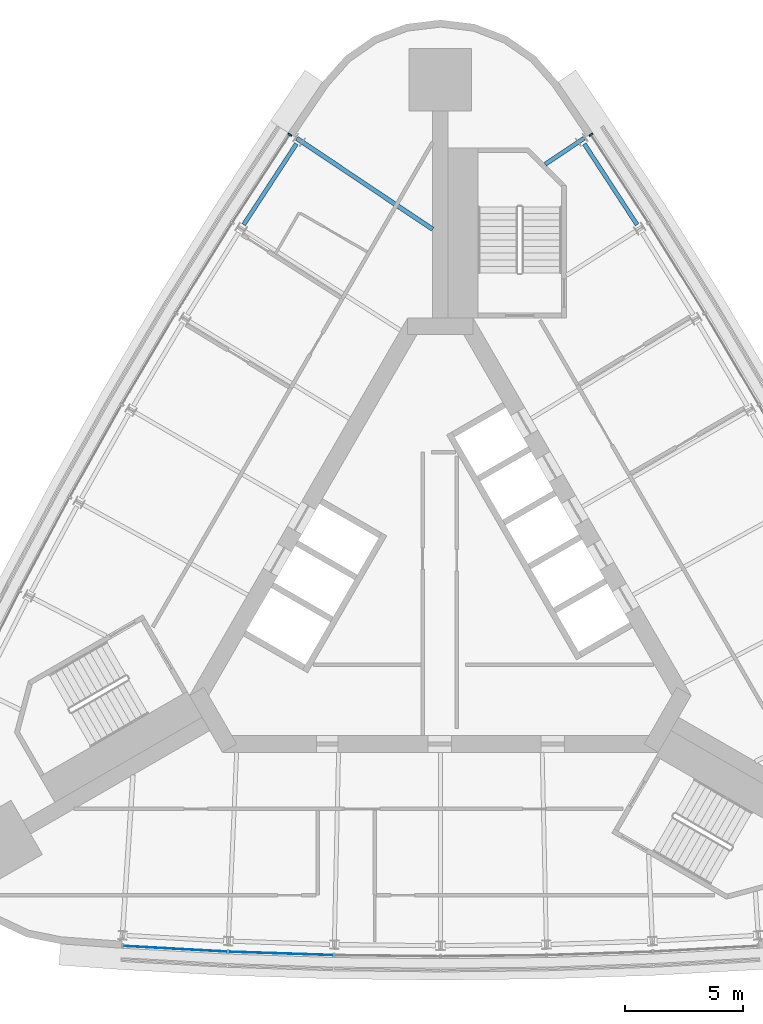
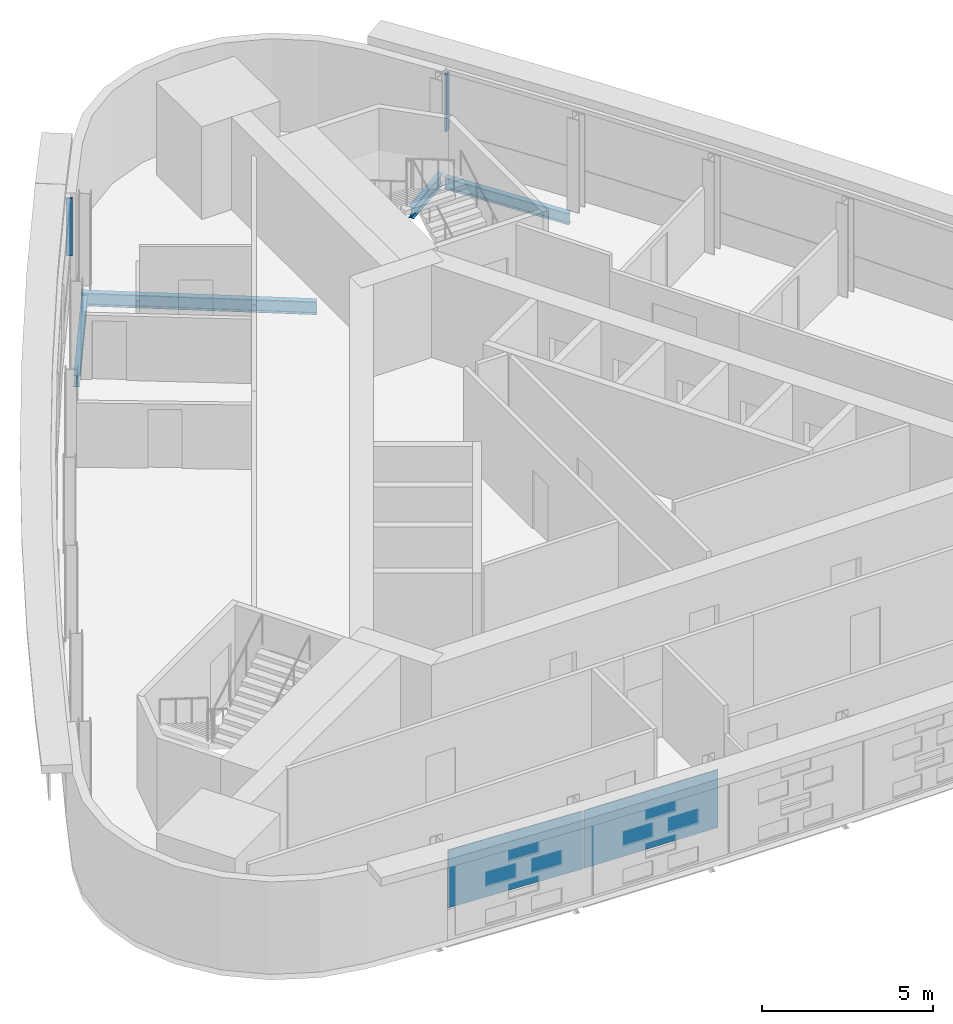
# One storey, part 5 of 11: 4 beams, 2 members, 2 plates, 3 elements without a shape of their own.
"""IFC4 building model written with IfcOpenShell, lengths in metres."""

from ifc_helpers import new_model, si_unit, direction, frame, origin, origin_2d, place, context, subcontext, project, spatial, rectangle, i_section, extrude, material, layer, layer_set, material_profile, profile_set, type_object, element, aggregate, save


model = new_model("IFC4")

# Units and contexts
model_context = context("Model", 3, precision=1e-05, world=origin(), true_north=direction((0.0, 1.0)))
body_context = subcontext(model_context, "Body", "Model", "MODEL_VIEW")
ifc_project = project(units=[si_unit("LENGTHUNIT", "METRE"), si_unit("AREAUNIT", "SQUARE_METRE"), si_unit("VOLUMEUNIT", "CUBIC_METRE"), si_unit("PLANEANGLEUNIT", "RADIAN"), si_unit("MASSUNIT", "GRAM", prefix="KILO")], contexts=[model_context])

# Site, building, storey
site_placement = place(None, origin())
site = spatial("IfcSite", under=ifc_project, at=site_placement, CompositionType="ELEMENT")
building_placement = place(site_placement, origin())
building = spatial("IfcBuilding", under=site, at=building_placement, Name="Noor Cloister Tower", CompositionType="ELEMENT")
storey_placement = place(building_placement, frame((0.0, 0.0, 206.699951171875)))
storey = spatial("IfcBuildingStorey", under=building, at=storey_placement, Name="L53", CompositionType="ELEMENT", Elevation=206.699951171875)

# Curtain wall, member
ifc_material_1 = material(Name="Aluminium 6063-T6 anodised", Category="aluminium")
curtain_wall_type = type_object("IfcCurtainWallType", Name="Ribbon curtain wall, upper tower CW5", PredefinedType="NOTDEFINED", material=ifc_material_1)
curtain_wall_1_placement = place(storey_placement, origin())
curtain_wall_1 = element("IfcCurtainWall", 1, at=curtain_wall_1_placement, inside=storey, type_object=curtain_wall_type, Name="CW5 L53 NW run 1", PredefinedType="NOTDEFINED")
ifc_material_2 = material(Name="Aluminium 6063-T6 anodised", Category="aluminium")
ifc_material_profile_1 = material_profile(ifc_material_2, rectangle(XDim=0.179931640625, YDim=0.070068359375, at=origin_2d()), Name="180 x 70 mullion")
ifc_profile_set_1 = profile_set([ifc_material_profile_1], Name="Aluminium 6063-T6 anodised")
member_type = type_object("IfcMemberType", Name="Mullion CW5 70 x 180", PredefinedType="MULLION", material=ifc_profile_set_1)
member_1_placement = place(storey_placement, frame((-6.374267578125, 19.2109375, 1.10009765625), z_axis=(0.0, 0.0, 1.0), x_axis=(0.837378106162, -0.546624100567, 0.0)))
member_1 = element("IfcMember", 2, at=member_1_placement, type_object=member_type, Name="CW5 mullion 1", PredefinedType="MULLION", context=body_context, shape_type="SweptSolid", body=[
    extrude(rectangle(XDim=0.179931640625, YDim=0.070068359375, at=origin_2d()), origin(), (0.0, 0.0, 1.0), 2.050048828125),
])
aggregate(curtain_wall_1, [member_1])

curtain_wall_2_placement = place(storey_placement, origin())
curtain_wall_2 = element("IfcCurtainWall", 3, at=curtain_wall_2_placement, inside=storey, type_object=curtain_wall_type, Name="CW5 L53 NE run 3", PredefinedType="NOTDEFINED")
member_2_placement = place(storey_placement, frame((6.374267578125, 19.2109375, 1.10009765625), z_axis=(0.0, 0.0, 1.0), x_axis=(-0.837378106162, -0.546624100567, 0.0)))
member_2 = element("IfcMember", 4, at=member_2_placement, type_object=member_type, Name="CW5 mullion 7", PredefinedType="MULLION", context=body_context, shape_type="SweptSolid", body=[
    extrude(rectangle(XDim=0.179931640625, YDim=0.070068359375, at=origin_2d()), origin(), (0.0, 0.0, 1.0), 2.050048828125),
])
aggregate(curtain_wall_2, [member_2])

# Beams
ifc_material_3 = material(Name="Steel ASTM A992 Gr 50", Category="steel")
ifc_material_profile_2 = material_profile(ifc_material_3, i_section(OverallWidth=0.177978515625, OverallDepth=0.406005859375, WebThickness=0.0078125, FlangeThickness=0.0126953125, FilletRadius=0.01025390625, at=origin_2d()), Name="W410x60")
ifc_profile_set_2 = profile_set([ifc_material_profile_2], Name="Steel ASTM A992 Gr 50")
beam_type_1 = type_object("IfcBeamType", Name="Radial beam W410x60", PredefinedType="BEAM", material=ifc_profile_set_2)
beam_1_placement = place(storey_placement, frame((6.074951171875, 19.05126953125, -0.40283203125), z_axis=(-0.831382826262, -0.555700095552, 0.0), x_axis=(0.555700095552, -0.831382826262, 0.0)))
element("IfcBeam", 5, at=beam_1_placement, inside=storey, type_object=beam_type_1, Name="Radial beam NE 07 L53", PredefinedType="BEAM", context=body_context, shape_type="SweptSolid", body=[
    extrude(i_section(OverallWidth=0.177978515625, OverallDepth=0.406005859375, WebThickness=0.0078125, FlangeThickness=0.0126953125, FilletRadius=0.01025390625, at=origin_2d()), origin(), (0.0, 0.0, 1.0), 1.97119140625),
])
ifc_material_4 = material(Name="Steel ASTM A992 Gr 50", Category="steel")
ifc_material_profile_3 = material_profile(ifc_material_4, i_section(OverallWidth=0.19091796875, OverallDepth=0.45703125, WebThickness=0.009033203125, FlangeThickness=0.014404296875, FilletRadius=0.01025390625, at=origin_2d()), Name="W460x74")
ifc_profile_set_3 = profile_set([ifc_material_profile_3], Name="Steel ASTM A992 Gr 50")
beam_type_2 = type_object("IfcBeamType", Name="Radial beam W460x74", PredefinedType="BEAM", material=ifc_profile_set_3)
beam_2_placement = place(storey_placement, frame((-6.074951171875, 19.05126953125, -0.428466796875), z_axis=(0.831354528555, -0.555742429414, 0.0), x_axis=(0.555742429414, 0.831354528555, 0.0)))
element("IfcBeam", 6, at=beam_2_placement, inside=storey, type_object=beam_type_2, Name="Radial beam NW 01 L53", PredefinedType="BEAM", context=body_context, shape_type="SweptSolid", body=[
    extrude(i_section(OverallWidth=0.19091796875, OverallDepth=0.45703125, WebThickness=0.009033203125, FlangeThickness=0.014404296875, FilletRadius=0.01025390625, at=origin_2d()), origin(), (0.0, 0.0, 1.0), 6.91650390625),
])
ifc_material_5 = material(Name="Steel ASTM A992 Gr 50", Category="steel")
ifc_material_profile_4 = material_profile(ifc_material_5, i_section(OverallWidth=0.177978515625, OverallDepth=0.406005859375, WebThickness=0.0078125, FlangeThickness=0.0126953125, FilletRadius=0.01025390625, at=origin_2d()), Name="W410x60")
ifc_profile_set_4 = profile_set([ifc_material_profile_4], Name="Steel ASTM A992 Gr 50")
beam_type_3 = type_object("IfcBeamType", Name="Spandrel beam W410x60", PredefinedType="SPANDREL", material=ifc_profile_set_4)
for number, where, z_axis, x_axis, name in (
    (7, (-6.08935546875, 18.82421875, -0.40283203125), (-0.546609723781, -0.837387490872, 0.0), (0.837387490872, -0.546609723781, 0.0), "Spandrel beam NW 01 L53"),
    (8, (8.3271484375, 15.39599609375, -0.40283203125), (-0.546609723781, 0.837387490872, 0.0), (-0.837387490872, -0.546609723781, 0.0), "Spandrel beam NE 06 L53"),
):
    element("IfcBeam", number, at=place(storey_placement, frame(where, z_axis=z_axis, x_axis=x_axis)), inside=storey, type_object=beam_type_3, Name=name, PredefinedType="SPANDREL", context=body_context, shape_type="SweptSolid", body=[
        extrude(i_section(OverallWidth=0.177978515625, OverallDepth=0.406005859375, WebThickness=0.0078125, FlangeThickness=0.0126953125, FilletRadius=0.01025390625, at=origin_2d()), origin(), (0.0, 0.0, 1.0), 4.093994140625),
    ])

# Curtain wall, plates
curtain_wall_3_placement = place(storey_placement, origin())
curtain_wall_3 = element("IfcCurtainWall", 9, at=curtain_wall_3_placement, inside=storey, type_object=curtain_wall_type, Name="CW5 L53 S run 2", PredefinedType="NOTDEFINED")
ifc_material_6 = material(Name="Clear laminated glass 2 x 8 mm", Category="glass")
ifc_layer = layer(ifc_material_6, 0.028076171875)
ifc_layer_set = layer_set([ifc_layer], Name="Glass panel CW5")
plate_type = type_object("IfcPlateType", Name="Glass panel CW5", PredefinedType="CURTAIN_PANEL", material=ifc_layer_set)
plate_1_placement = place(storey_placement, frame((-11.221435546875, -15.247802734375, 1.08984375), z_axis=(0.0, 0.0, 1.0), x_axis=(0.998502762793, -0.054701304331, 0.0)))
plate_1 = element("IfcPlate", 10, at=plate_1_placement, type_object=plate_type, Name="CW5 glass panel 1", PredefinedType="CURTAIN_PANEL", context=body_context, shape_type="SweptSolid", body=[
    extrude(rectangle(XDim=4.413818359375, YDim=0.028076171875, at=origin_2d()), origin(), (0.0, 0.0, 1.0), 2.070068359375),
])
plate_2_placement = place(storey_placement, frame((-6.7451171875, -15.44384765625, 1.08984375), z_axis=(0.0, 0.0, 1.0), x_axis=(0.999460908721, -0.032831264644, 0.0)))
plate_2 = element("IfcPlate", 11, at=plate_2_placement, type_object=plate_type, Name="CW5 glass panel 2", PredefinedType="CURTAIN_PANEL", context=body_context, shape_type="SweptSolid", body=[
    extrude(rectangle(XDim=4.44775390625, YDim=0.028076171875, at=origin_2d()), origin(), (0.0, 0.0, 1.0), 2.070068359375),
])
aggregate(curtain_wall_3, [plate_1, plate_2])

save(model, "model.ifc")
